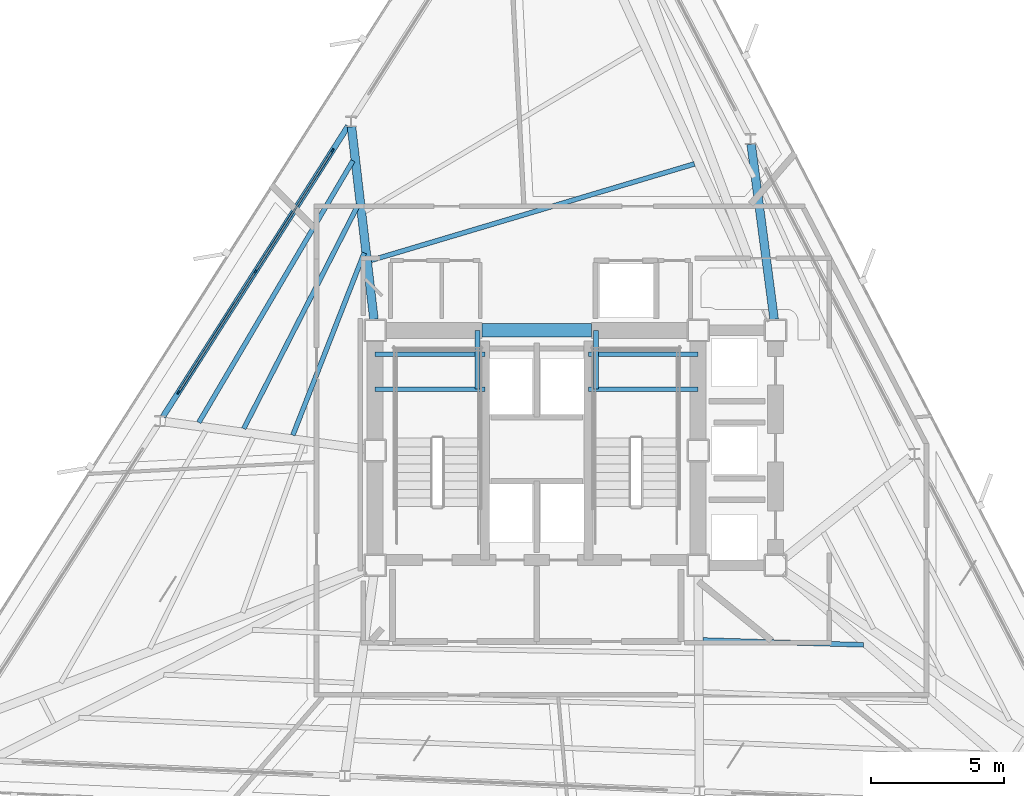
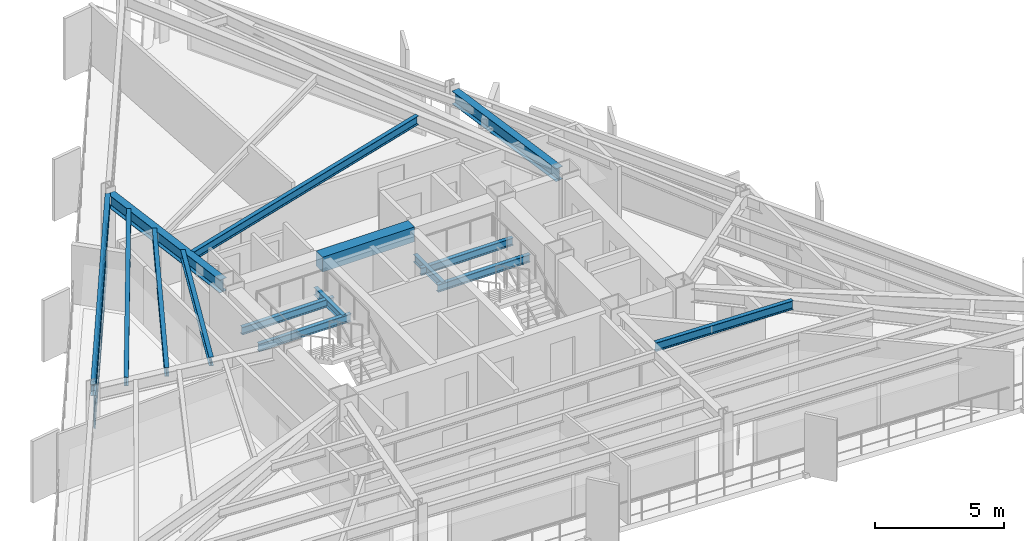
# One storey, part 3 of 12: 15 beams, 7 members, 1 element without a shape of its own.
"""IFC4 building model written with IfcOpenShell, lengths in metres."""

from ifc_helpers import new_model, si_unit, direction, frame, origin, origin_2d, place, context, subcontext, project, spatial, rectangle, i_section, extrude, material, layer, layer_set, material_profile, profile_set, type_object, element, aggregate, save


model = new_model("IFC4")

# Units and contexts
model_context = context("Model", 3, precision=1e-05, world=origin(), true_north=direction((0.0, 1.0)))
body_context = subcontext(model_context, "Body", "Model", "MODEL_VIEW")
ifc_project = project(units=[si_unit("LENGTHUNIT", "METRE"), si_unit("AREAUNIT", "SQUARE_METRE"), si_unit("VOLUMEUNIT", "CUBIC_METRE"), si_unit("PLANEANGLEUNIT", "RADIAN"), si_unit("MASSUNIT", "GRAM", prefix="KILO")], contexts=[model_context])

# Site, building, storey
site_placement = place(None, origin())
site = spatial("IfcSite", under=ifc_project, at=site_placement, CompositionType="ELEMENT")
building_placement = place(site_placement, origin())
building = spatial("IfcBuilding", under=site, at=building_placement, Name="Rocaltana Carrier Exchange", CompositionType="ELEMENT")
storey_placement = place(building_placement, frame((0.0, 0.0, 132.0)))
storey = spatial("IfcBuildingStorey", under=building, at=storey_placement, Name="L41", CompositionType="ELEMENT", Elevation=132.0)

# Curtain wall, members
ifc_material_1 = material(Name="Aluminium 6063-T6", Category="aluminium")
ifc_layer = layer(ifc_material_1, 0.14990234375)
ifc_layer_set = layer_set([ifc_layer], Name="Aluminium 6063-T6")
curtain_wall_type = type_object("IfcCurtainWallType", Name="Mid-Tower Unitised Curtain Wall CW-03", PredefinedType="NOTDEFINED", material=ifc_layer_set)
curtain_wall_placement = place(storey_placement, origin())
curtain_wall = element("IfcCurtainWall", 1, at=curtain_wall_placement, inside=storey, type_object=curtain_wall_type, Name="L41 CW-03 Run CW-L41-F2S2", PredefinedType="NOTDEFINED")
ifc_material_2 = material(Name="Aluminium 6063-T6", Category="aluminium")
ifc_material_profile_1 = material_profile(ifc_material_2, rectangle(XDim=0.06005859375, YDim=0.14990234375, at=origin_2d()), Name="AL-60X150")
ifc_profile_set_1 = profile_set([ifc_material_profile_1], Name="Aluminium 6063-T6")
member_type_1 = type_object("IfcMemberType", Name="CW-03 Mullion AL-60X150", PredefinedType="MULLION", material=ifc_profile_set_1)
member_1_placement = place(storey_placement, frame((-7.6494140625, 11.240478515625, 0.0), z_axis=(0.0, 0.0, 1.0), x_axis=(0.843390685726, -0.537300801443, 0.0)))
member_1 = element("IfcMember", 2, at=member_1_placement, type_object=member_type_1, Name="CW-03 mullion 1", PredefinedType="MULLION", context=body_context, shape_type="SweptSolid", body=[
    extrude(rectangle(XDim=0.06005859375, YDim=0.14990234375, at=origin_2d()), origin(), (0.0, 0.0, 1.0), 2.218017578125),
])
member_2_placement = place(storey_placement, frame((-10.53466796875, 6.71142578125, 0.0), z_axis=(0.0, 0.0, 1.0), x_axis=(0.843390685726, -0.537300801443, 0.0)))
member_2 = element("IfcMember", 3, at=member_2_placement, type_object=member_type_1, Name="CW-03 mullion 2", PredefinedType="MULLION", context=body_context, shape_type="SweptSolid", body=[
    extrude(rectangle(XDim=0.06005859375, YDim=0.14990234375, at=origin_2d()), origin(), (0.0, 0.0, 1.0), 2.218017578125),
])
member_3_placement = place(storey_placement, frame((-13.420166015625, 2.182373046875, 0.0), z_axis=(0.0, 0.0, 1.0), x_axis=(0.843390685726, -0.537300801443, 0.0)))
member_3 = element("IfcMember", 4, at=member_3_placement, type_object=member_type_1, Name="CW-03 mullion 3", PredefinedType="MULLION", context=body_context, shape_type="SweptSolid", body=[
    extrude(rectangle(XDim=0.06005859375, YDim=0.14990234375, at=origin_2d()), origin(), (0.0, 0.0, 1.0), 2.218017578125),
])
ifc_material_3 = material(Name="Aluminium 6063-T6", Category="aluminium")
ifc_material_profile_2 = material_profile(ifc_material_3, rectangle(XDim=0.06005859375, YDim=0.14990234375, at=origin_2d()), Name="AL-60X150")
ifc_profile_set_2 = profile_set([ifc_material_profile_2], Name="Aluminium 6063-T6")
member_type_2 = type_object("IfcMemberType", Name="CW-03 Transom AL-60X150", PredefinedType="USERDEFINED", material=ifc_profile_set_2)
member_4_placement = place(storey_placement, frame((-7.66552734375, 11.215087890625, 0.030029296875), z_axis=(-0.537285975238, -0.843400130906, 0.0), x_axis=(0.843400130906, -0.537285975238, 0.0)))
member_4 = element("IfcMember", 5, at=member_4_placement, type_object=member_type_2, Name="CW-03 transom 1.1", ObjectType="TRANSOM", PredefinedType="USERDEFINED", context=body_context, shape_type="SweptSolid", body=[
    extrude(rectangle(XDim=0.06005859375, YDim=0.14990234375, at=origin_2d()), origin(), (0.0, 0.0, 1.0), 5.31005859375),
])
member_5_placement = place(storey_placement, frame((-7.66552734375, 11.215087890625, 2.18798828125), z_axis=(-0.537285975238, -0.843400130906, 0.0), x_axis=(0.843400130906, -0.537285975238, 0.0)))
member_5 = element("IfcMember", 6, at=member_5_placement, type_object=member_type_2, Name="CW-03 transom 1.2", ObjectType="TRANSOM", PredefinedType="USERDEFINED", context=body_context, shape_type="SweptSolid", body=[
    extrude(rectangle(XDim=0.06005859375, YDim=0.14990234375, at=origin_2d()), origin(), (0.0, 0.0, 1.0), 5.31005859375),
])
member_6_placement = place(storey_placement, frame((-10.55078125, 6.68603515625, 0.030029296875), z_axis=(-0.537318678484, -0.843379296493, 0.0), x_axis=(0.843379296493, -0.537318678484, 0.0)))
member_6 = element("IfcMember", 7, at=member_6_placement, type_object=member_type_2, Name="CW-03 transom 2.1", ObjectType="TRANSOM", PredefinedType="USERDEFINED", context=body_context, shape_type="SweptSolid", body=[
    extrude(rectangle(XDim=0.06005859375, YDim=0.14990234375, at=origin_2d()), origin(), (0.0, 0.0, 1.0), 5.310302734375),
])
member_7_placement = place(storey_placement, frame((-10.55078125, 6.68603515625, 2.18798828125), z_axis=(-0.537318678484, -0.843379296493, 0.0), x_axis=(0.843379296493, -0.537318678484, 0.0)))
member_7 = element("IfcMember", 8, at=member_7_placement, type_object=member_type_2, Name="CW-03 transom 2.2", ObjectType="TRANSOM", PredefinedType="USERDEFINED", context=body_context, shape_type="SweptSolid", body=[
    extrude(rectangle(XDim=0.06005859375, YDim=0.14990234375, at=origin_2d()), origin(), (0.0, 0.0, 1.0), 5.310302734375),
])
aggregate(curtain_wall, [member_1, member_2, member_3, member_4, member_5, member_6, member_7])

# Beams
ifc_material_4 = material(Name="Concrete C60/75", Category="concrete")
ifc_material_profile_3 = material_profile(ifc_material_4, rectangle(XDim=0.5, YDim=0.699951171875, at=origin_2d()), Name="RC-BM-500X700")
ifc_profile_set_3 = profile_set([ifc_material_profile_3], Name="Concrete C60/75")
beam_type_1 = type_object("IfcBeamType", Name="Core Coupling Lintel 500x700", PredefinedType="LINTEL", material=ifc_profile_set_3)
beam_1_placement = place(storey_placement, frame((-2.050048828125, 4.5, 2.43798828125), z_axis=(1.0, 0.0, 0.0), x_axis=(0.0, 1.0, 0.0)))
element("IfcBeam", 9, at=beam_1_placement, inside=storey, type_object=beam_type_1, Name="L41 Core Coupling Lintel CL-N", PredefinedType="LINTEL", context=body_context, shape_type="SweptSolid", body=[
    extrude(rectangle(XDim=0.5, YDim=0.699951171875, at=origin_2d()), origin(), (0.0, 0.0, 1.0), 4.10009765625),
])
ifc_material_5 = material(Name="Steel S355", Category="steel")
ifc_material_profile_4 = material_profile(ifc_material_5, i_section(OverallWidth=0.172119140625, OverallDepth=0.35791015625, WebThickness=0.0078125, FlangeThickness=0.01318359375, FilletRadius=0.011962890625, at=origin_2d()), Name="W14X38")
ifc_profile_set_4 = profile_set([ifc_material_profile_4], Name="Steel S355")
beam_type_2 = type_object("IfcBeamType", Name="Floor Joist W14X38", PredefinedType="JOIST", material=ifc_profile_set_4)
for number, where, z_axis, x_axis, name in (
    (10, (-6.050048828125, 2.300048828125, 1.14111328125), (1.0, 0.0, 0.0), (0.0, 1.0, 0.0), "L41 ST-1 Landing Carrier 1"),
    (11, (1.93994140625, 2.300048828125, 1.14111328125), (1.0, 0.0, 0.0), (0.0, 1.0, 0.0), "L41 ST-2 Landing Carrier 1"),
    (12, (-6.050048828125, 3.60009765625, 1.14111328125), (1.0, 0.0, 0.0), (0.0, 1.0, 0.0), "L41 ST-1 Landing Carrier 2"),
    (13, (1.93994140625, 3.60009765625, 1.14111328125), (1.0, 0.0, 0.0), (0.0, 1.0, 0.0), "L41 ST-2 Landing Carrier 2"),
):
    element("IfcBeam", number, at=place(storey_placement, frame(where, z_axis=z_axis, x_axis=x_axis)), inside=storey, type_object=beam_type_2, Name=name, PredefinedType="JOIST", context=body_context, shape_type="SweptSolid", body=[
        extrude(i_section(OverallWidth=0.172119140625, OverallDepth=0.35791015625, WebThickness=0.0078125, FlangeThickness=0.01318359375, FilletRadius=0.011962890625, at=origin_2d()), origin(), (0.0, 0.0, 1.0), 4.110107421875),
    ])
for number, where, z_axis, x_axis, name in (
    (14, (-2.219970703125, 2.300048828125, 1.14111328125), (0.0, 1.0, 0.0), (-1.0, 0.0, 0.0), "L41 ST-1 Landing Cross Trimmer"),
    (15, (2.219970703125, 2.300048828125, 1.14111328125), (0.0, 1.0, 0.0), (-1.0, 0.0, 0.0), "L41 ST-2 Landing Cross Trimmer"),
):
    element("IfcBeam", number, at=place(storey_placement, frame(where, z_axis=z_axis, x_axis=x_axis)), inside=storey, type_object=beam_type_2, Name=name, PredefinedType="JOIST", context=body_context, shape_type="SweptSolid", body=[
        extrude(i_section(OverallWidth=0.172119140625, OverallDepth=0.35791015625, WebThickness=0.0078125, FlangeThickness=0.01318359375, FilletRadius=0.011962890625, at=origin_2d()), origin(), (0.0, 0.0, 1.0), 2.199951171875),
    ])
ifc_material_6 = material(Name="Steel S355", Category="steel")
ifc_material_profile_5 = material_profile(ifc_material_6, i_section(OverallWidth=0.179931640625, OverallDepth=0.4130859375, WebThickness=0.009765625, FlangeThickness=0.01611328125, FilletRadius=0.012939453125, at=origin_2d()), Name="W16X50")
ifc_profile_set_5 = profile_set([ifc_material_profile_5], Name="Steel S355")
beam_type_3 = type_object("IfcBeamType", Name="Floor Joist W16X50", PredefinedType="JOIST", material=ifc_profile_set_5)
beam_2_placement = place(storey_placement, frame((5.907958984375, 10.737548828125, 2.58154296875), z_axis=(-0.958271792159, -0.285858658, 0.0), x_axis=(0.285858658, -0.958271792159, 0.0)))
element("IfcBeam", 16, at=beam_2_placement, inside=storey, type_object=beam_type_3, Name="FJ-L41-05-1", PredefinedType="JOIST", context=body_context, shape_type="SweptSolid", body=[
    extrude(i_section(OverallWidth=0.179931640625, OverallDepth=0.4130859375, WebThickness=0.009765625, FlangeThickness=0.01611328125, FilletRadius=0.012939453125, at=origin_2d()), origin(), (0.0, 0.0, 1.0), 12.63671875),
])
beam_3_placement = place(storey_placement, frame((-6.46240234375, 7.404541015625, 2.58154296875), z_axis=(-0.364527375861, -0.931192671926, 0.0), x_axis=(0.931192671926, -0.364527375861, 0.0)))
element("IfcBeam", 17, at=beam_3_placement, inside=storey, type_object=beam_type_3, Name="FJ-L41-06-1", PredefinedType="JOIST", context=body_context, shape_type="SweptSolid", body=[
    extrude(i_section(OverallWidth=0.179931640625, OverallDepth=0.4130859375, WebThickness=0.009765625, FlangeThickness=0.01611328125, FilletRadius=0.012939453125, at=origin_2d()), origin(), (0.0, 0.0, 1.0), 7.333740234375),
])
beam_4_placement = place(storey_placement, frame((-6.686279296875, 9.20947265625, 2.58154296875), z_axis=(-0.455271338629, -0.890352743705, 0.0), x_axis=(0.890352743705, -0.455271338629, 0.0)))
element("IfcBeam", 18, at=beam_4_placement, inside=storey, type_object=beam_type_3, Name="FJ-L41-06-2", PredefinedType="JOIST", context=body_context, shape_type="SweptSolid", body=[
    extrude(i_section(OverallWidth=0.179931640625, OverallDepth=0.4130859375, WebThickness=0.009765625, FlangeThickness=0.01611328125, FilletRadius=0.012939453125, at=origin_2d()), origin(), (0.0, 0.0, 1.0), 9.419921875),
])
beam_5_placement = place(storey_placement, frame((-6.885986328125, 10.856201171875, 2.58154296875), z_axis=(-0.507296695283, -0.86177146794, 0.0), x_axis=(0.86177146794, -0.507296695283, 0.0)))
element("IfcBeam", 19, at=beam_5_placement, inside=storey, type_object=beam_type_3, Name="FJ-L41-06-3", PredefinedType="JOIST", context=body_context, shape_type="SweptSolid", body=[
    extrude(i_section(OverallWidth=0.179931640625, OverallDepth=0.4130859375, WebThickness=0.009765625, FlangeThickness=0.01611328125, FilletRadius=0.012939453125, at=origin_2d()), origin(), (0.0, 0.0, 1.0), 11.37939453125),
])
beam_6_placement = place(storey_placement, frame((6.221923828125, -7.099609375, 2.58154296875), z_axis=(0.999543297857, -0.030219128192, 0.0), x_axis=(0.030219128192, 0.999543297857, 0.0)))
element("IfcBeam", 20, at=beam_6_placement, inside=storey, type_object=beam_type_3, Name="FJ-L41-11-1", PredefinedType="JOIST", context=body_context, shape_type="SweptSolid", body=[
    extrude(i_section(OverallWidth=0.179931640625, OverallDepth=0.4130859375, WebThickness=0.009765625, FlangeThickness=0.01611328125, FilletRadius=0.012939453125, at=origin_2d()), origin(), (0.0, 0.0, 1.0), 6.018798828125),
])
ifc_material_7 = material(Name="Steel S355", Category="steel")
ifc_material_profile_6 = material_profile(ifc_material_7, i_section(OverallWidth=0.323974609375, OverallDepth=0.611083984375, WebThickness=0.0126953125, FlangeThickness=0.01904296875, FilletRadius=0.01611328125, at=origin_2d()), Name="W24X104")
ifc_profile_set_6 = profile_set([ifc_material_profile_6], Name="Steel S355")
beam_type_4 = type_object("IfcBeamType", Name="Radial Girder W24X104", PredefinedType="BEAM", material=ifc_profile_set_6)
beam_7_placement = place(storey_placement, frame((8.895751953125, 4.91357421875, 2.482421875), z_axis=(-0.130195806294, 0.991488301506, 0.0), x_axis=(-0.991488301506, -0.130195806294, 0.0)))
element("IfcBeam", 21, at=beam_7_placement, inside=storey, type_object=beam_type_4, Name="RG-L41-03", PredefinedType="BEAM", context=body_context, shape_type="SweptSolid", body=[
    extrude(i_section(OverallWidth=0.323974609375, OverallDepth=0.611083984375, WebThickness=0.0126953125, FlangeThickness=0.01904296875, FilletRadius=0.01611328125, at=origin_2d()), origin(), (0.0, 0.0, 1.0), 6.61572265625),
])
beam_8_placement = place(storey_placement, frame((-6.098388671875, 4.914306640625, 2.482421875), z_axis=(-0.115803295245, 0.993272166534, 0.0), x_axis=(-0.993272166534, -0.115803295245, 0.0)))
element("IfcBeam", 22, at=beam_8_placement, inside=storey, type_object=beam_type_4, Name="RG-L41-06", PredefinedType="BEAM", context=body_context, shape_type="SweptSolid", body=[
    extrude(i_section(OverallWidth=0.323974609375, OverallDepth=0.611083984375, WebThickness=0.0126953125, FlangeThickness=0.01904296875, FilletRadius=0.01611328125, at=origin_2d()), origin(), (0.0, 0.0, 1.0), 7.2607421875),
])
ifc_material_8 = material(Name="Steel S355", Category="steel")
ifc_material_profile_7 = material_profile(ifc_material_8, i_section(OverallWidth=0.2119140625, OverallDepth=0.5439453125, WebThickness=0.01318359375, FlangeThickness=0.021240234375, FilletRadius=0.014892578125, at=origin_2d()), Name="W21X83")
ifc_profile_set_7 = profile_set([ifc_material_profile_7], Name="Steel S355")
beam_type_5 = type_object("IfcBeamType", Name="Spandrel Edge Beam W21X83", PredefinedType="SPANDREL", material=ifc_profile_set_7)
beam_9_placement = place(storey_placement, frame((-7.06640625, 12.155517578125, 2.51611328125), z_axis=(-0.537298808094, -0.84339195563, 0.0), x_axis=(0.84339195563, -0.537298808094, 0.0)))
element("IfcBeam", 23, at=beam_9_placement, inside=storey, type_object=beam_type_5, Name="SP-L41-06", PredefinedType="SPANDREL", context=body_context, shape_type="SweptSolid", body=[
    extrude(i_section(OverallWidth=0.2119140625, OverallDepth=0.5439453125, WebThickness=0.01318359375, FlangeThickness=0.021240234375, FilletRadius=0.014892578125, at=origin_2d()), origin(), (0.0, 0.0, 1.0), 12.909912109375),
])

save(model, "model.ifc")
